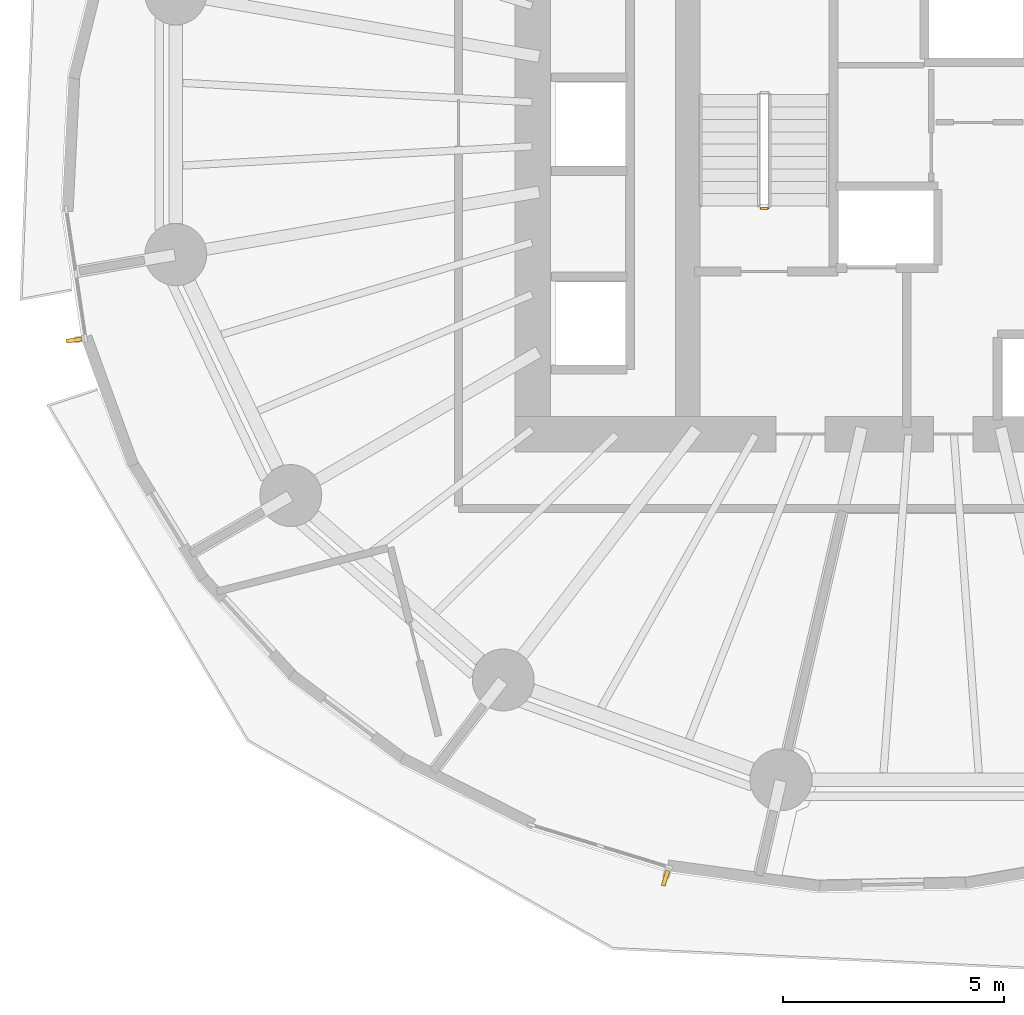
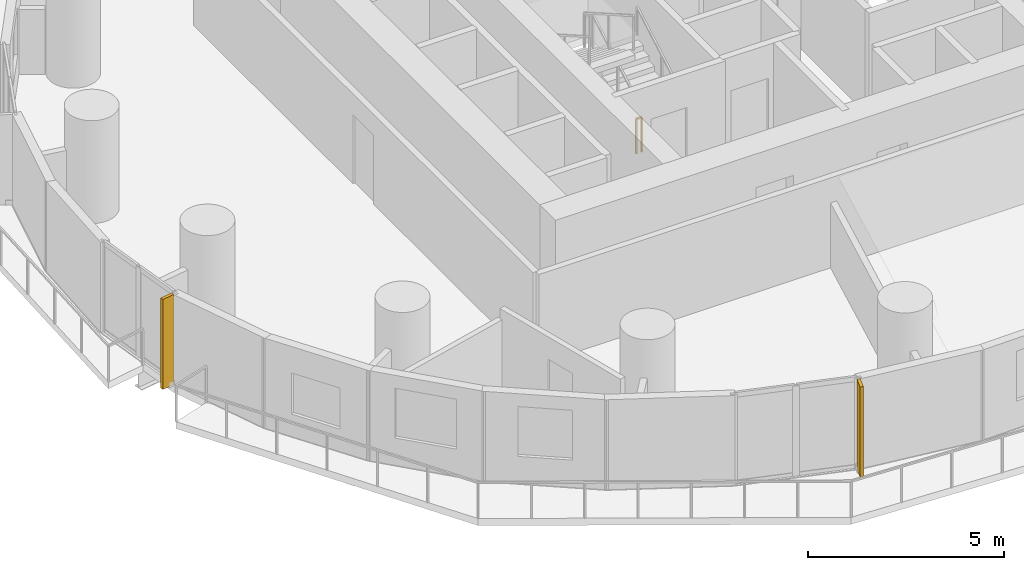
# One storey, part 10 of 13: 2 shading devices, 1 railing.
"""IFC4 building model written with IfcOpenShell, lengths in metres."""

from ifc_helpers import new_model, si_unit, direction, frame, origin, origin_2d, place, context, subcontext, project, spatial, rectangle, extrude, material, layer, layer_set, type_object, element, save


model = new_model("IFC4")

# Units and contexts
model_context = context("Model", 3, precision=1e-05, world=origin(), true_north=direction((0.0, 1.0)))
body_context = subcontext(model_context, "Body", "Model", "MODEL_VIEW")
ifc_project = project(units=[si_unit("LENGTHUNIT", "METRE"), si_unit("AREAUNIT", "SQUARE_METRE"), si_unit("VOLUMEUNIT", "CUBIC_METRE"), si_unit("PLANEANGLEUNIT", "RADIAN"), si_unit("MASSUNIT", "GRAM", prefix="KILO")], contexts=[model_context])

# Site, building, storey
site_placement = place(None, origin())
site = spatial("IfcSite", under=ifc_project, at=site_placement, CompositionType="ELEMENT")
building_placement = place(site_placement, origin())
building = spatial("IfcBuilding", under=site, at=building_placement, Name="Veldorim Arch Residences", CompositionType="ELEMENT")
storey_placement = place(building_placement, frame((0.0, 0.0, 63.199951171875)))
storey = spatial("IfcBuildingStorey", under=building, at=storey_placement, Name="L18", CompositionType="ELEMENT", Elevation=63.199951171875)

# Railing
ifc_material_1 = material(Name="Steel S355", Category="steel")
railing_type = type_object("IfcRailingType", Name="Galvanised Steel Stair Safety Guardrail 1100", PredefinedType="GUARDRAIL", material=ifc_material_1)
railing_placement = place(storey_placement, frame((28.31005859375, 22.10009765625, 0.0)))
element("IfcRailing", 1, at=railing_placement, inside=storey, type_object=railing_type, Name="L18 ST-1 stair guard 4", PredefinedType="GUARDRAIL", context=body_context, shape_type="SweptSolid", body=[
    extrude(rectangle(XDim=0.048095703125, YDim=0.048095703125, at=origin_2d()), frame((0.0, 0.0, 1.076171875), z_axis=(-1.0, 0.0, 0.0), x_axis=(0.0, -1.0, 0.0)), (0.0, 0.0, 1.0), 0.16015625),
    extrude(rectangle(XDim=0.0419921875, YDim=0.0419921875, at=origin_2d()), origin(), (0.0, 0.0, 1.0), 1.052001953125),
    extrude(rectangle(XDim=0.0419921875, YDim=0.0419921875, at=origin_2d()), frame((-0.16015625, 0.0, 0.0)), (0.0, 0.0, 1.0), 1.052001953125),
])

# Shading devices
ifc_material_2 = material(Name="Terracotta Ceramic", Category="masonry")
ifc_layer = layer(ifc_material_2, 0.090087890625, Name="Vertical Extruded Terracotta Baguette Sun-Shading Fin")
ifc_layer_set = layer_set([ifc_layer], Name="Terracotta Ceramic")
shading_device_type = type_object("IfcShadingDeviceType", Name="Vertical Extruded Terracotta Baguette Sun-Shading Fin", PredefinedType="USERDEFINED", material=ifc_layer_set)
for number, where, z_axis, x_axis, name in (
    (2, (12.636474609375, 19.12255859375, 0.0), (0.0, 0.0, 1.0), (-0.14832723834, 0.988938334967, 0.0), "L18 vertical terracotta sun-shading fin 18"),
    (3, (25.99853515625, 6.96728515625, 0.0), (0.0, 0.0, 1.0), (-0.956151539415, 0.292872384621, 0.0), "L18 vertical terracotta sun-shading fin 24"),
):
    element("IfcShadingDevice", number, at=place(storey_placement, frame(where, z_axis=z_axis, x_axis=x_axis)), inside=storey, type_object=shading_device_type, Name=name, ObjectType="FIN", PredefinedType="USERDEFINED", context=body_context, shape_type="SweptSolid", body=[
        extrude(rectangle(XDim=0.090087890625, YDim=0.360107421875, at=origin_2d()), origin(), (0.0, 0.0, 1.0), 2.800048828125),
    ])

save(model, "model.ifc")
